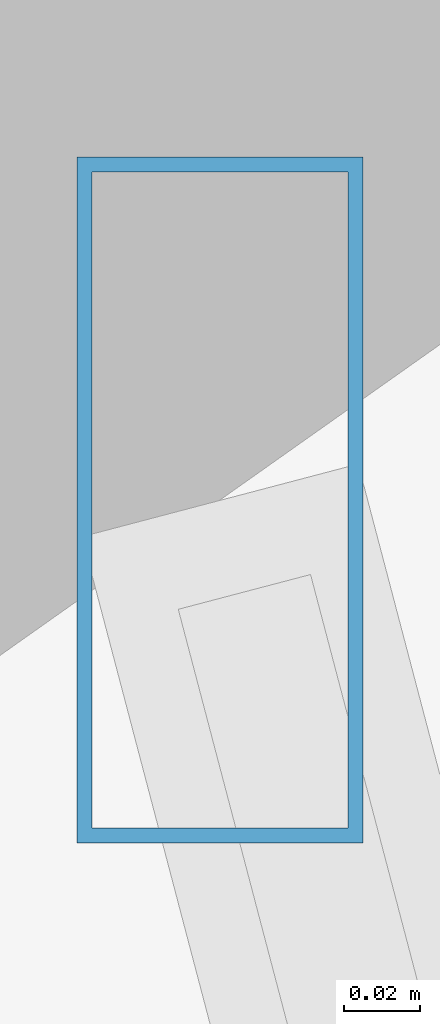
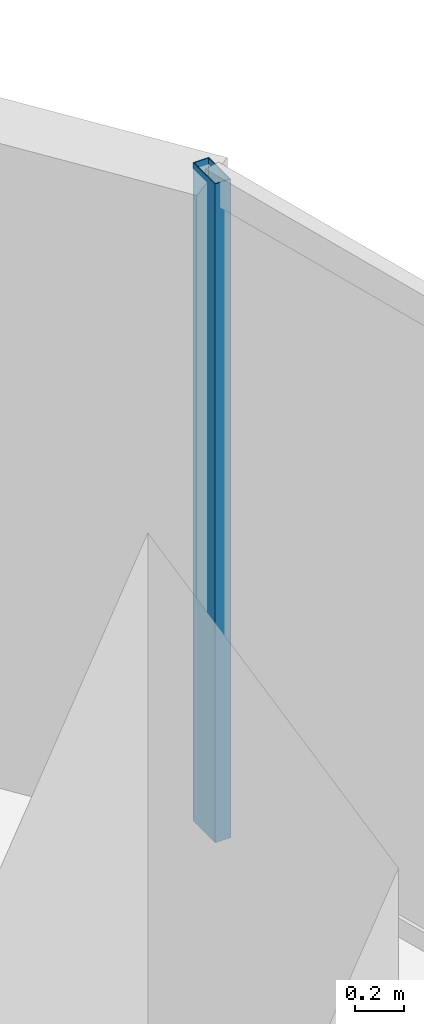
# One storey, part 18 of 35: 1 member, 1 element without a shape of its own.
"""IFC4 building model written with IfcOpenShell, lengths in metres."""

from ifc_helpers import new_model, si_unit, direction, frame, origin, origin_2d, place, context, subcontext, project, spatial, hollow_rectangle, extrude, material, material_profile, profile_set, type_object, element, aggregate, save


model = new_model("IFC4")

# Units and contexts
model_context = context("Model", 3, precision=1e-05, world=origin(), true_north=direction((0.0, 1.0)))
body_context = subcontext(model_context, "Body", "Model", "MODEL_VIEW")
ifc_project = project(units=[si_unit("LENGTHUNIT", "METRE"), si_unit("AREAUNIT", "SQUARE_METRE"), si_unit("VOLUMEUNIT", "CUBIC_METRE"), si_unit("PLANEANGLEUNIT", "RADIAN"), si_unit("MASSUNIT", "GRAM", prefix="KILO")], contexts=[model_context])

# Site, building, storey
site_placement = place(None, origin())
site = spatial("IfcSite", under=ifc_project, at=site_placement, CompositionType="ELEMENT")
building_placement = place(site_placement, origin())
building = spatial("IfcBuilding", under=site, at=building_placement, Name="Vorneva Point Tower", CompositionType="ELEMENT")
storey_placement = place(building_placement, frame((0.0, 0.0, 45.0)))
storey = spatial("IfcBuildingStorey", under=building, at=storey_placement, Name="L11", CompositionType="ELEMENT", Elevation=45.0)

# Curtain wall, member
ifc_material = material(Name="Pale anodised aluminium", Category="aluminium")
curtain_wall_type = type_object("IfcCurtainWallType", Name="CW-HTL-SYS", PredefinedType="NOTDEFINED", material=ifc_material)
curtain_wall_placement = place(storey_placement, origin())
curtain_wall = element("IfcCurtainWall", 1, at=curtain_wall_placement, inside=storey, type_object=curtain_wall_type, Name="L11 Unitised Curtain Wall CW-L11-R01", PredefinedType="NOTDEFINED")
ifc_material_profile = material_profile(ifc_material, hollow_rectangle(XDim=0.074951171875, YDim=0.179931640625, WallThickness=0.00390625, at=origin_2d()), Name="AL-MUL 180x75x4")
ifc_profile_set = profile_set([ifc_material_profile], Name="Pale anodised aluminium")
member_type = type_object("IfcMemberType", Name="CW-MUL-180", PredefinedType="MULLION", material=ifc_profile_set)
member_placement = place(storey_placement, frame((65.300537109375, 34.552978515625, -0.0400390625), z_axis=(0.0, 0.0, 1.0), x_axis=(1.0, 0.0, 0.0)))
member = element("IfcMember", 2, at=member_placement, type_object=member_type, Name="CW-L11-R01 Mullion 05", PredefinedType="MULLION", context=body_context, shape_type="SweptSolid", body=[
    extrude(hollow_rectangle(XDim=0.074951171875, YDim=0.179931640625, WallThickness=0.00390625, at=origin_2d()), origin(), (0.0, 0.0, 1.0), 3.31005859375),
])
aggregate(curtain_wall, [member])

save(model, "model.ifc")
